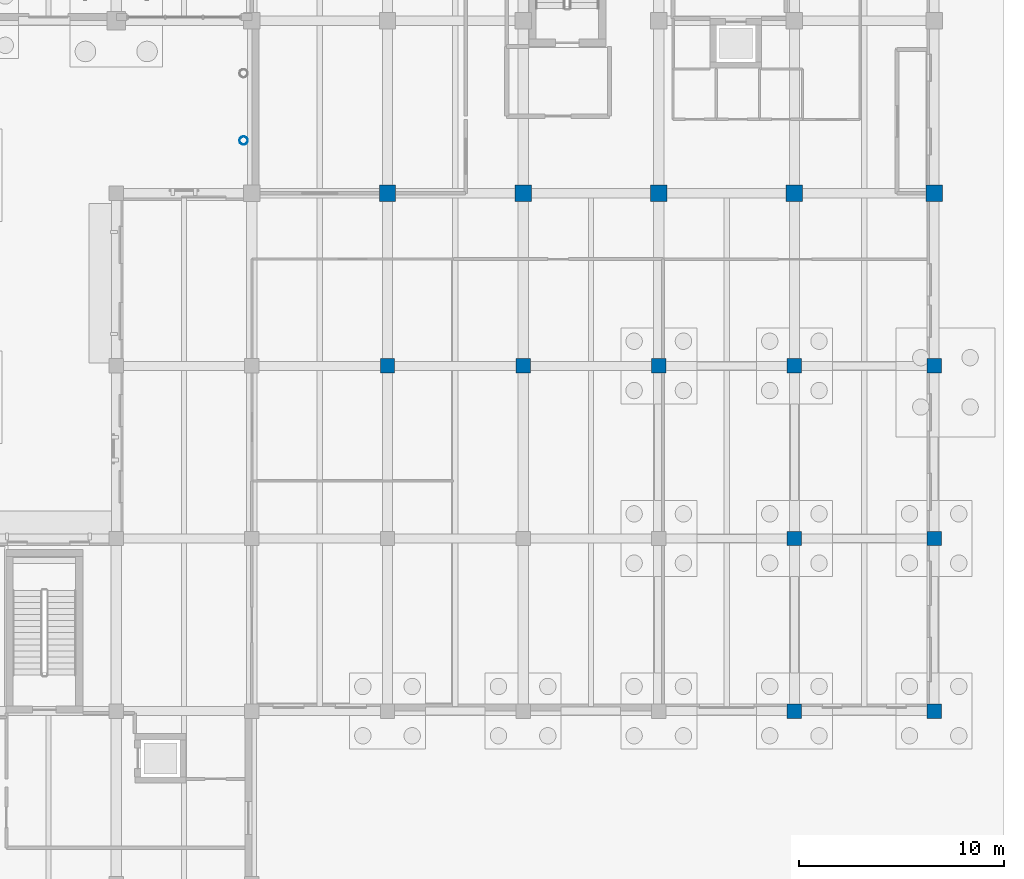
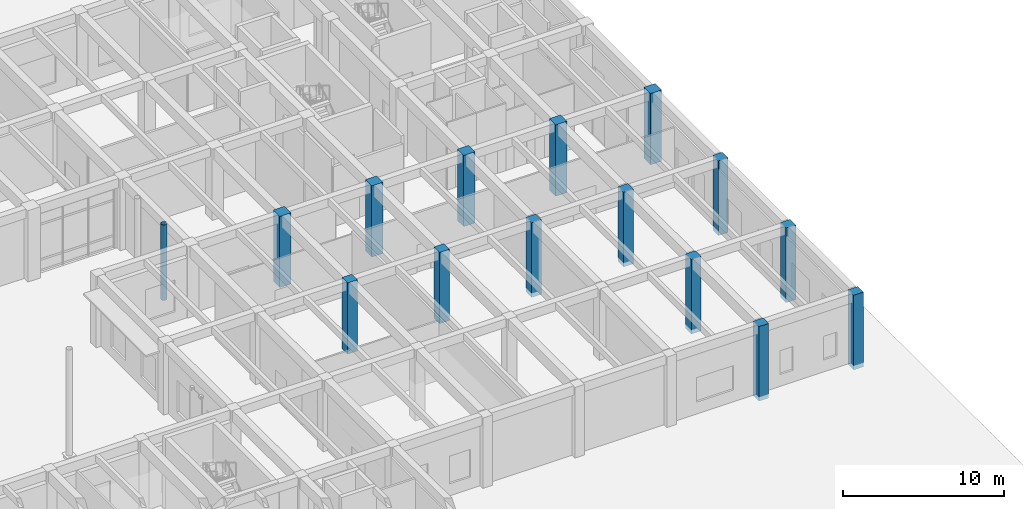
# One storey, part 18 of 82: 15 columns.
"""IFC4 building model written with IfcOpenShell, lengths in metres."""

from ifc_helpers import new_model, si_unit, direction, frame, origin, origin_2d, place, context, subcontext, project, spatial, rectangle, hollow_circle, extrude, material, material_profile, profile_set, type_object, element, save


model = new_model("IFC4")

# Units and contexts
model_context = context("Model", 3, precision=1e-05, world=origin(), true_north=direction((0.0, 1.0)))
body_context = subcontext(model_context, "Body", "Model", "MODEL_VIEW")
ifc_project = project(units=[si_unit("LENGTHUNIT", "METRE"), si_unit("AREAUNIT", "SQUARE_METRE"), si_unit("VOLUMEUNIT", "CUBIC_METRE"), si_unit("PLANEANGLEUNIT", "RADIAN"), si_unit("MASSUNIT", "GRAM", prefix="KILO")], contexts=[model_context])

# Site, building, storey
site_placement = place(None, origin())
site = spatial("IfcSite", under=ifc_project, at=site_placement, CompositionType="ELEMENT")
building_placement = place(site_placement, origin())
building = spatial("IfcBuilding", under=site, at=building_placement, Name="Kolvaren Faculty of Natural Sciences", CompositionType="ELEMENT")
storey_placement = place(building_placement, origin())
storey = spatial("IfcBuildingStorey", under=building, at=storey_placement, Name="L00", CompositionType="ELEMENT", Elevation=0.0)

# Columns
ifc_material_1 = material(Name="Structural steel EN 10210-1 S355J2H (white architectural finish)", Category="steel")
ifc_material_profile_1 = material_profile(ifc_material_1, hollow_circle(Radius=0.203125, WallThickness=0.01416015625, at=origin_2d()), Name="CHS 406.4x14.2")
ifc_profile_set_1 = profile_set([ifc_material_profile_1], Name="Structural steel EN 10210-1 S355J2H (white architectural finish)")
column_type_1 = type_object("IfcColumnType", Name="PortalTreeTrunk_CHS406", PredefinedType="COLUMN", material=ifc_profile_set_1)
column_placement = place(storey_placement, frame((138.39990234375, 61.565185546875, -0.320068359375), z_axis=(0.0, 0.0, 1.0), x_axis=(1.0, 0.0, 0.0)))
element("IfcColumn", 1, at=column_placement, inside=storey, type_object=column_type_1, Name="Covered street canopy portal column E-S (L00)", PredefinedType="COLUMN", context=body_context, shape_type="SweptSolid", body=[
    extrude(hollow_circle(Radius=0.203125, WallThickness=0.01416015625, at=origin_2d()), origin(), (0.0, 0.0, 1.0), 5.719970703125),
])
ifc_material_2 = material(Name="Concrete C40/50", Category="concrete")
ifc_material_profile_2 = material_profile(ifc_material_2, rectangle(XDim=0.800048828125, YDim=0.800048828125, at=origin_2d()), Name="RC COL 800x800")
ifc_profile_set_2 = profile_set([ifc_material_profile_2], Name="Concrete C40/50")
column_type_2 = type_object("IfcColumnType", Name="TowerColumn_800x800", PredefinedType="COLUMN", material=ifc_profile_set_2)
for number, where, z_axis, x_axis, name in (
    (2, (145.39990234375, 59.0, 0.0), (0.0, 0.0, 1.0), (1.0, 0.0, 0.0), "L00 column TC-80 at 23/H"),
    (3, (152.0, 59.0, 0.0), (0.0, 0.0, 1.0), (1.0, 0.0, 0.0), "L00 column TC-80 at 24/H"),
    (4, (158.60009765625, 59.0, 0.0), (0.0, 0.0, 1.0), (1.0, 0.0, 0.0), "L00 column TC-80 at 25/H"),
    (5, (165.199951171875, 59.0, 0.0), (0.0, 0.0, 1.0), (1.0, 0.0, 0.0), "L00 column TC-80 at 26/H"),
    (6, (172.0, 59.0, 0.0), (0.0, 0.0, 1.0), (1.0, 0.0, 0.0), "L00 column TC-80 at 27/H"),
):
    element("IfcColumn", number, at=place(storey_placement, frame(where, z_axis=z_axis, x_axis=x_axis)), inside=storey, type_object=column_type_2, Name=name, PredefinedType="COLUMN", context=body_context, shape_type="SweptSolid", body=[
        extrude(rectangle(XDim=0.800048828125, YDim=0.800048828125, at=origin_2d()), origin(), (0.0, 0.0, 1.0), 5.39990234375),
    ])
ifc_material_profile_3 = material_profile(ifc_material_2, rectangle(XDim=0.699951171875, YDim=0.699951171875, at=origin_2d()), Name="RC COL 700x700")
ifc_profile_set_3 = profile_set([ifc_material_profile_3], Name="Concrete C40/50")
column_type_3 = type_object("IfcColumnType", Name="WingColumn_700x700", PredefinedType="COLUMN", material=ifc_profile_set_3)
for number, where, z_axis, x_axis, name in (
    (7, (145.39990234375, 50.60009765625, 0.0), (0.0, 0.0, 1.0), (1.0, 0.0, 0.0), "L00 column WC-70 at 23/G"),
    (8, (152.0, 50.60009765625, 0.0), (0.0, 0.0, 1.0), (1.0, 0.0, 0.0), "L00 column WC-70 at 24/G"),
):
    element("IfcColumn", number, at=place(storey_placement, frame(where, z_axis=z_axis, x_axis=x_axis)), inside=storey, type_object=column_type_3, Name=name, PredefinedType="COLUMN", context=body_context, shape_type="SweptSolid", body=[
        extrude(rectangle(XDim=0.699951171875, YDim=0.699951171875, at=origin_2d()), origin(), (0.0, 0.0, 1.0), 5.39990234375),
    ])
for number, where, z_axis, x_axis, name in (
    (9, (158.60009765625, 50.60009765625, -0.320068359375), (0.0, 0.0, 1.0), (1.0, 0.0, 0.0), "L00 column WC-70 at 25/G"),
    (10, (165.199951171875, 33.800048828125, -0.320068359375), (0.0, 0.0, 1.0), (1.0, 0.0, 0.0), "L00 column WC-70 at 26/E"),
    (11, (165.199951171875, 42.199951171875, -0.320068359375), (0.0, 0.0, 1.0), (1.0, 0.0, 0.0), "L00 column WC-70 at 26/F"),
    (12, (165.199951171875, 50.60009765625, -0.320068359375), (0.0, 0.0, 1.0), (1.0, 0.0, 0.0), "L00 column WC-70 at 26/G"),
    (13, (172.0, 33.800048828125, -0.320068359375), (0.0, 0.0, 1.0), (1.0, 0.0, 0.0), "L00 column WC-70 at 27/E"),
    (14, (172.0, 42.199951171875, -0.320068359375), (0.0, 0.0, 1.0), (1.0, 0.0, 0.0), "L00 column WC-70 at 27/F"),
    (15, (172.0, 50.60009765625, -0.320068359375), (0.0, 0.0, 1.0), (1.0, 0.0, 0.0), "L00 column WC-70 at 27/G"),
):
    element("IfcColumn", number, at=place(storey_placement, frame(where, z_axis=z_axis, x_axis=x_axis)), inside=storey, type_object=column_type_3, Name=name, PredefinedType="COLUMN", context=body_context, shape_type="SweptSolid", body=[
        extrude(rectangle(XDim=0.699951171875, YDim=0.699951171875, at=origin_2d()), origin(), (0.0, 0.0, 1.0), 5.66015625),
    ])

save(model, "model.ifc")
